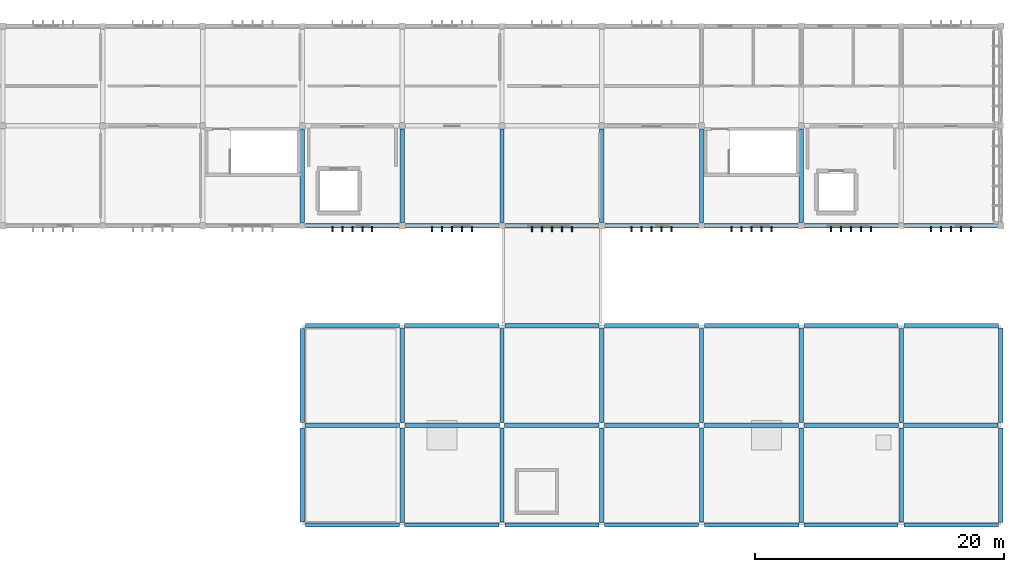
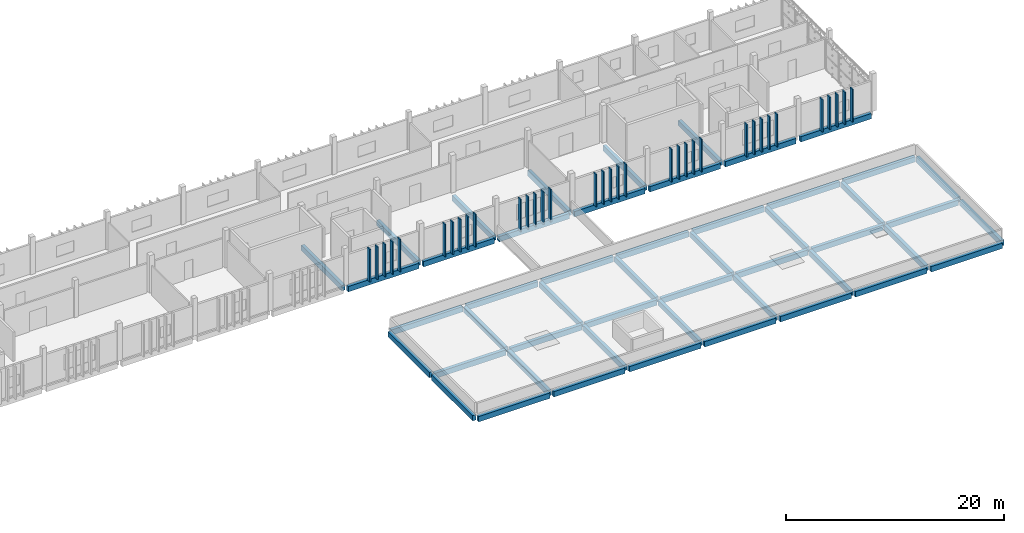
# One storey, part 5 of 16: 50 beams, 35 members.
"""IFC4 building model written with IfcOpenShell, lengths in metres."""

from ifc_helpers import new_model, si_unit, direction, frame, origin, origin_2d, place, context, subcontext, project, spatial, rectangle, extrude, material, material_profile, profile_set, type_object, element, save


model = new_model("IFC4")

# Units and contexts
model_context = context("Model", 3, precision=1e-05, world=origin(), true_north=direction((0.0, 1.0)))
body_context = subcontext(model_context, "Body", "Model", "MODEL_VIEW")
ifc_project = project(units=[si_unit("LENGTHUNIT", "METRE"), si_unit("AREAUNIT", "SQUARE_METRE"), si_unit("VOLUMEUNIT", "CUBIC_METRE"), si_unit("PLANEANGLEUNIT", "RADIAN"), si_unit("MASSUNIT", "GRAM", prefix="KILO")], contexts=[model_context])

# Site, building, storey
site_placement = place(None, origin())
site = spatial("IfcSite", under=ifc_project, at=site_placement, CompositionType="ELEMENT")
building_placement = place(site_placement, origin())
building = spatial("IfcBuilding", under=site, at=building_placement, Name="Jelvoka-Kovrelna Polytechnic", CompositionType="ELEMENT")
storey_placement = place(building_placement, frame((0.0, 0.0, 30.60009765625)))
storey = spatial("IfcBuildingStorey", under=building, at=storey_placement, Name="L08", CompositionType="ELEMENT", Elevation=30.60009765625)

# Beams
ifc_material_1 = material(Name="Concrete C35/45", Category="concrete")
ifc_material_profile_1 = material_profile(ifc_material_1, rectangle(XDim=0.35009765625, YDim=0.60009765625, at=origin_2d()), Name="RC 350x600")
ifc_profile_set_1 = profile_set([ifc_material_profile_1], Name="Concrete C35/45")
beam_type_1 = type_object("IfcBeamType", Name="Beam_RC_350x600", PredefinedType="BEAM", material=ifc_profile_set_1)
for number, where, z_axis, x_axis, name in (
    (1, (128.0, 56.2548828125, -0.525146484375), (0.0, 1.0, 0.0), (-1.0, 0.0, 0.0), "L08 beam 1966"),
    (2, (136.0, 56.2548828125, -0.525146484375), (0.0, 1.0, 0.0), (-1.0, 0.0, 0.0), "L08 beam 1968"),
    (3, (144.0, 56.2548828125, -0.525146484375), (0.0, 1.0, 0.0), (-1.0, 0.0, 0.0), "L08 beam 1970"),
    (4, (152.0, 56.2548828125, -0.525146484375), (0.0, 1.0, 0.0), (-1.0, 0.0, 0.0), "L08 beam 1972"),
    (5, (160.0, 56.2548828125, -0.525146484375), (0.0, 1.0, 0.0), (-1.0, 0.0, 0.0), "L08 beam 1974"),
    (6, (168.0, 56.2548828125, -0.525146484375), (0.0, 1.0, 0.0), (-1.0, 0.0, 0.0), "L08 beam 1976"),
):
    element("IfcBeam", number, at=place(storey_placement, frame(where, z_axis=z_axis, x_axis=x_axis)), inside=storey, type_object=beam_type_1, Name=name, PredefinedType="BEAM", context=body_context, shape_type="SweptSolid", body=[
        extrude(rectangle(XDim=0.35009765625, YDim=0.60009765625, at=origin_2d()), origin(), (0.0, 0.0, 1.0), 7.490234375),
    ])
for number, where, z_axis, x_axis, name in (
    (7, (128.205078125, 40.0, -0.5400390625), (1.0, 0.0, 0.0), (0.0, 1.0, 0.0), "L08 beam 2215"),
    (8, (136.22998046875, 40.0, -0.5400390625), (1.0, 0.0, 0.0), (0.0, 1.0, 0.0), "L08 beam 2216"),
    (9, (144.205078125, 40.0, -0.5400390625), (1.0, 0.0, 0.0), (0.0, 1.0, 0.0), "L08 beam 2217"),
    (10, (152.22998046875, 40.0, -0.5400390625), (1.0, 0.0, 0.0), (0.0, 1.0, 0.0), "L08 beam 2218"),
    (11, (160.205078125, 40.0, -0.5400390625), (1.0, 0.0, 0.0), (0.0, 1.0, 0.0), "L08 beam 2219"),
    (12, (168.22998046875, 40.0, -0.5400390625), (1.0, 0.0, 0.0), (0.0, 1.0, 0.0), "L08 beam 2220"),
    (13, (176.205078125, 40.0, -0.5400390625), (1.0, 0.0, 0.0), (0.0, 1.0, 0.0), "L08 beam 2221"),
    (14, (128.0, 32.22998046875, -0.5400390625), (0.0, 1.0, 0.0), (-1.0, 0.0, 0.0), "L08 beam 2229"),
    (15, (128.0, 40.205078125, -0.5400390625), (0.0, 1.0, 0.0), (-1.0, 0.0, 0.0), "L08 beam 2230"),
    (16, (136.0, 32.205078125, -0.5400390625), (0.0, 1.0, 0.0), (-1.0, 0.0, 0.0), "L08 beam 2231"),
    (17, (136.0, 40.22998046875, -0.5400390625), (0.0, 1.0, 0.0), (-1.0, 0.0, 0.0), "L08 beam 2232"),
    (18, (144.0, 32.22998046875, -0.5400390625), (0.0, 1.0, 0.0), (-1.0, 0.0, 0.0), "L08 beam 2233"),
    (19, (144.0, 40.205078125, -0.5400390625), (0.0, 1.0, 0.0), (-1.0, 0.0, 0.0), "L08 beam 2234"),
    (20, (152.0, 32.205078125, -0.5400390625), (0.0, 1.0, 0.0), (-1.0, 0.0, 0.0), "L08 beam 2235"),
    (21, (152.0, 40.22998046875, -0.5400390625), (0.0, 1.0, 0.0), (-1.0, 0.0, 0.0), "L08 beam 2236"),
    (22, (160.0, 32.22998046875, -0.5400390625), (0.0, 1.0, 0.0), (-1.0, 0.0, 0.0), "L08 beam 2237"),
    (23, (160.0, 40.205078125, -0.5400390625), (0.0, 1.0, 0.0), (-1.0, 0.0, 0.0), "L08 beam 2238"),
    (24, (168.0, 32.205078125, -0.5400390625), (0.0, 1.0, 0.0), (-1.0, 0.0, 0.0), "L08 beam 2239"),
    (25, (168.0, 40.22998046875, -0.5400390625), (0.0, 1.0, 0.0), (-1.0, 0.0, 0.0), "L08 beam 2240"),
    (26, (176.0, 32.22998046875, -0.5400390625), (0.0, 1.0, 0.0), (-1.0, 0.0, 0.0), "L08 beam 2241"),
    (27, (176.0, 40.205078125, -0.5400390625), (0.0, 1.0, 0.0), (-1.0, 0.0, 0.0), "L08 beam 2242"),
    (28, (184.0, 32.205078125, -0.5400390625), (0.0, 1.0, 0.0), (-1.0, 0.0, 0.0), "L08 beam 2243"),
    (29, (184.0, 40.22998046875, -0.5400390625), (0.0, 1.0, 0.0), (-1.0, 0.0, 0.0), "L08 beam 2244"),
):
    element("IfcBeam", number, at=place(storey_placement, frame(where, z_axis=z_axis, x_axis=x_axis)), inside=storey, type_object=beam_type_1, Name=name, PredefinedType="BEAM", context=body_context, shape_type="SweptSolid", body=[
        extrude(rectangle(XDim=0.35009765625, YDim=0.60009765625, at=origin_2d()), origin(), (0.0, 0.0, 1.0), 7.56494140625),
    ])

# Members
ifc_material_2 = material(Name="Precast concrete C40/50", Category="concrete")
ifc_material_profile_2 = material_profile(ifc_material_2, rectangle(XDim=0.1201171875, YDim=0.449951171875, at=origin_2d()), Name="PC 120x450")
ifc_profile_set_2 = profile_set([ifc_material_profile_2], Name="Precast concrete C40/50")
member_type = type_object("IfcMemberType", Name="Louvre_Fin_120x450", PredefinedType="USERDEFINED", material=ifc_profile_set_2)
for number, where, z_axis, x_axis, name in (
    (30, (130.39990234375, 55.735107421875, -0.27001953125), (0.0, 0.0, 1.0), (1.0, 0.0, 0.0), "L08 B3 south vertical solar louvre fin 2296"),
    (31, (131.199951171875, 55.735107421875, -0.27001953125), (0.0, 0.0, 1.0), (1.0, 0.0, 0.0), "L08 B3 south vertical solar louvre fin 2297"),
    (32, (132.0, 55.735107421875, -0.27001953125), (0.0, 0.0, 1.0), (1.0, 0.0, 0.0), "L08 B3 south vertical solar louvre fin 2298"),
    (33, (132.800048828125, 55.735107421875, -0.27001953125), (0.0, 0.0, 1.0), (1.0, 0.0, 0.0), "L08 B3 south vertical solar louvre fin 2299"),
    (34, (133.60009765625, 55.735107421875, -0.27001953125), (0.0, 0.0, 1.0), (1.0, 0.0, 0.0), "L08 B3 south vertical solar louvre fin 2300"),
    (35, (138.39990234375, 55.735107421875, -0.27001953125), (0.0, 0.0, 1.0), (1.0, 0.0, 0.0), "L08 B3 south vertical solar louvre fin 2306"),
    (36, (139.199951171875, 55.735107421875, -0.27001953125), (0.0, 0.0, 1.0), (1.0, 0.0, 0.0), "L08 B3 south vertical solar louvre fin 2307"),
    (37, (140.0, 55.735107421875, -0.27001953125), (0.0, 0.0, 1.0), (1.0, 0.0, 0.0), "L08 B3 south vertical solar louvre fin 2308"),
    (38, (140.800048828125, 55.735107421875, -0.27001953125), (0.0, 0.0, 1.0), (1.0, 0.0, 0.0), "L08 B3 south vertical solar louvre fin 2309"),
    (39, (141.60009765625, 55.735107421875, -0.27001953125), (0.0, 0.0, 1.0), (1.0, 0.0, 0.0), "L08 B3 south vertical solar louvre fin 2310"),
    (40, (146.39990234375, 55.735107421875, -0.27001953125), (0.0, 0.0, 1.0), (1.0, 0.0, 0.0), "L08 B3 south vertical solar louvre fin 2316"),
    (41, (147.199951171875, 55.735107421875, -0.27001953125), (0.0, 0.0, 1.0), (1.0, 0.0, 0.0), "L08 B3 south vertical solar louvre fin 2317"),
    (42, (148.0, 55.735107421875, -0.27001953125), (0.0, 0.0, 1.0), (1.0, 0.0, 0.0), "L08 B3 south vertical solar louvre fin 2318"),
    (43, (148.800048828125, 55.735107421875, -0.27001953125), (0.0, 0.0, 1.0), (1.0, 0.0, 0.0), "L08 B3 south vertical solar louvre fin 2319"),
    (44, (149.60009765625, 55.735107421875, -0.27001953125), (0.0, 0.0, 1.0), (1.0, 0.0, 0.0), "L08 B3 south vertical solar louvre fin 2320"),
    (45, (154.39990234375, 55.735107421875, -0.27001953125), (0.0, 0.0, 1.0), (1.0, 0.0, 0.0), "L08 B3 south vertical solar louvre fin 2326"),
    (46, (155.199951171875, 55.735107421875, -0.27001953125), (0.0, 0.0, 1.0), (1.0, 0.0, 0.0), "L08 B3 south vertical solar louvre fin 2327"),
    (47, (156.0, 55.735107421875, -0.27001953125), (0.0, 0.0, 1.0), (1.0, 0.0, 0.0), "L08 B3 south vertical solar louvre fin 2328"),
    (48, (156.800048828125, 55.735107421875, -0.27001953125), (0.0, 0.0, 1.0), (1.0, 0.0, 0.0), "L08 B3 south vertical solar louvre fin 2329"),
    (49, (157.60009765625, 55.735107421875, -0.27001953125), (0.0, 0.0, 1.0), (1.0, 0.0, 0.0), "L08 B3 south vertical solar louvre fin 2330"),
    (50, (162.39990234375, 55.735107421875, -0.27001953125), (0.0, 0.0, 1.0), (1.0, 0.0, 0.0), "L08 B3 south vertical solar louvre fin 2336"),
    (51, (163.199951171875, 55.735107421875, -0.27001953125), (0.0, 0.0, 1.0), (1.0, 0.0, 0.0), "L08 B3 south vertical solar louvre fin 2337"),
    (52, (164.0, 55.735107421875, -0.27001953125), (0.0, 0.0, 1.0), (1.0, 0.0, 0.0), "L08 B3 south vertical solar louvre fin 2338"),
    (53, (164.800048828125, 55.735107421875, -0.27001953125), (0.0, 0.0, 1.0), (1.0, 0.0, 0.0), "L08 B3 south vertical solar louvre fin 2339"),
    (54, (165.60009765625, 55.735107421875, -0.27001953125), (0.0, 0.0, 1.0), (1.0, 0.0, 0.0), "L08 B3 south vertical solar louvre fin 2340"),
    (55, (170.39990234375, 55.735107421875, -0.27001953125), (0.0, 0.0, 1.0), (1.0, 0.0, 0.0), "L08 B3 south vertical solar louvre fin 2341"),
    (56, (171.199951171875, 55.735107421875, -0.27001953125), (0.0, 0.0, 1.0), (1.0, 0.0, 0.0), "L08 B3 south vertical solar louvre fin 2342"),
    (57, (172.0, 55.735107421875, -0.27001953125), (0.0, 0.0, 1.0), (1.0, 0.0, 0.0), "L08 B3 south vertical solar louvre fin 2343"),
    (58, (172.800048828125, 55.735107421875, -0.27001953125), (0.0, 0.0, 1.0), (1.0, 0.0, 0.0), "L08 B3 south vertical solar louvre fin 2344"),
    (59, (173.60009765625, 55.735107421875, -0.27001953125), (0.0, 0.0, 1.0), (1.0, 0.0, 0.0), "L08 B3 south vertical solar louvre fin 2345"),
    (60, (178.39990234375, 55.735107421875, -0.27001953125), (0.0, 0.0, 1.0), (1.0, 0.0, 0.0), "L08 B3 south vertical solar louvre fin 2346"),
    (61, (179.199951171875, 55.735107421875, -0.27001953125), (0.0, 0.0, 1.0), (1.0, 0.0, 0.0), "L08 B3 south vertical solar louvre fin 2347"),
    (62, (180.0, 55.735107421875, -0.27001953125), (0.0, 0.0, 1.0), (1.0, 0.0, 0.0), "L08 B3 south vertical solar louvre fin 2348"),
    (63, (180.800048828125, 55.735107421875, -0.27001953125), (0.0, 0.0, 1.0), (1.0, 0.0, 0.0), "L08 B3 south vertical solar louvre fin 2349"),
    (64, (181.60009765625, 55.735107421875, -0.27001953125), (0.0, 0.0, 1.0), (1.0, 0.0, 0.0), "L08 B3 south vertical solar louvre fin 2350"),
):
    element("IfcMember", number, at=place(storey_placement, frame(where, z_axis=z_axis, x_axis=x_axis)), inside=storey, type_object=member_type, Name=name, ObjectType="SUNSHADE", PredefinedType="USERDEFINED", context=body_context, shape_type="SweptSolid", body=[
        extrude(rectangle(XDim=0.1201171875, YDim=0.449951171875, at=origin_2d()), origin(), (0.0, 0.0, 1.0), 3.655029296875),
    ])

# Beams
ifc_material_3 = material(Name="Concrete C40/50", Category="concrete")
ifc_material_profile_3 = material_profile(ifc_material_3, rectangle(XDim=0.35009765625, YDim=0.60009765625, at=origin_2d()), Name="RC 350x600")
ifc_profile_set_3 = profile_set([ifc_material_profile_3], Name="Concrete C40/50")
beam_type_2 = type_object("IfcBeamType", Name="Spandrel_RC_350x600", PredefinedType="SPANDREL", material=ifc_profile_set_3)
for number, where, z_axis, x_axis, name in (
    (65, (128.2548828125, 56.0, -0.525146484375), (1.0, 0.0, 0.0), (0.0, 1.0, 0.0), "L08 beam 1941"),
    (66, (136.2548828125, 56.0, -0.525146484375), (1.0, 0.0, 0.0), (0.0, 1.0, 0.0), "L08 beam 1942"),
    (67, (144.2548828125, 56.0, -0.525146484375), (1.0, 0.0, 0.0), (0.0, 1.0, 0.0), "L08 beam 1943"),
    (68, (152.2548828125, 56.0, -0.525146484375), (1.0, 0.0, 0.0), (0.0, 1.0, 0.0), "L08 beam 1944"),
    (69, (160.2548828125, 56.0, -0.525146484375), (1.0, 0.0, 0.0), (0.0, 1.0, 0.0), "L08 beam 1945"),
    (70, (168.2548828125, 56.0, -0.525146484375), (1.0, 0.0, 0.0), (0.0, 1.0, 0.0), "L08 beam 1946"),
    (71, (176.2548828125, 56.0, -0.525146484375), (1.0, 0.0, 0.0), (0.0, 1.0, 0.0), "L08 beam 1947"),
):
    element("IfcBeam", number, at=place(storey_placement, frame(where, z_axis=z_axis, x_axis=x_axis)), inside=storey, type_object=beam_type_2, Name=name, PredefinedType="SPANDREL", context=body_context, shape_type="SweptSolid", body=[
        extrude(rectangle(XDim=0.35009765625, YDim=0.60009765625, at=origin_2d()), origin(), (0.0, 0.0, 1.0), 7.490234375),
    ])
for number, where, z_axis, x_axis, name in (
    (72, (128.22998046875, 32.0, -0.5400390625), (1.0, 0.0, 0.0), (0.0, 1.0, 0.0), "L08 beam 2208"),
    (73, (136.205078125, 32.0, -0.5400390625), (1.0, 0.0, 0.0), (0.0, 1.0, 0.0), "L08 beam 2209"),
    (74, (144.22998046875, 32.0, -0.5400390625), (1.0, 0.0, 0.0), (0.0, 1.0, 0.0), "L08 beam 2210"),
    (75, (152.205078125, 32.0, -0.5400390625), (1.0, 0.0, 0.0), (0.0, 1.0, 0.0), "L08 beam 2211"),
    (76, (160.22998046875, 32.0, -0.5400390625), (1.0, 0.0, 0.0), (0.0, 1.0, 0.0), "L08 beam 2212"),
    (77, (168.205078125, 32.0, -0.5400390625), (1.0, 0.0, 0.0), (0.0, 1.0, 0.0), "L08 beam 2213"),
    (78, (176.22998046875, 32.0, -0.5400390625), (1.0, 0.0, 0.0), (0.0, 1.0, 0.0), "L08 beam 2214"),
    (79, (128.22998046875, 48.0, -0.5400390625), (1.0, 0.0, 0.0), (0.0, 1.0, 0.0), "L08 beam 2222"),
    (80, (136.205078125, 48.0, -0.5400390625), (1.0, 0.0, 0.0), (0.0, 1.0, 0.0), "L08 beam 2223"),
    (81, (144.22998046875, 48.0, -0.5400390625), (1.0, 0.0, 0.0), (0.0, 1.0, 0.0), "L08 beam 2224"),
    (82, (152.205078125, 48.0, -0.5400390625), (1.0, 0.0, 0.0), (0.0, 1.0, 0.0), "L08 beam 2225"),
    (83, (160.22998046875, 48.0, -0.5400390625), (1.0, 0.0, 0.0), (0.0, 1.0, 0.0), "L08 beam 2226"),
    (84, (168.205078125, 48.0, -0.5400390625), (1.0, 0.0, 0.0), (0.0, 1.0, 0.0), "L08 beam 2227"),
    (85, (176.22998046875, 48.0, -0.5400390625), (1.0, 0.0, 0.0), (0.0, 1.0, 0.0), "L08 beam 2228"),
):
    element("IfcBeam", number, at=place(storey_placement, frame(where, z_axis=z_axis, x_axis=x_axis)), inside=storey, type_object=beam_type_2, Name=name, PredefinedType="SPANDREL", context=body_context, shape_type="SweptSolid", body=[
        extrude(rectangle(XDim=0.35009765625, YDim=0.60009765625, at=origin_2d()), origin(), (0.0, 0.0, 1.0), 7.56494140625),
    ])

save(model, "model.ifc")
